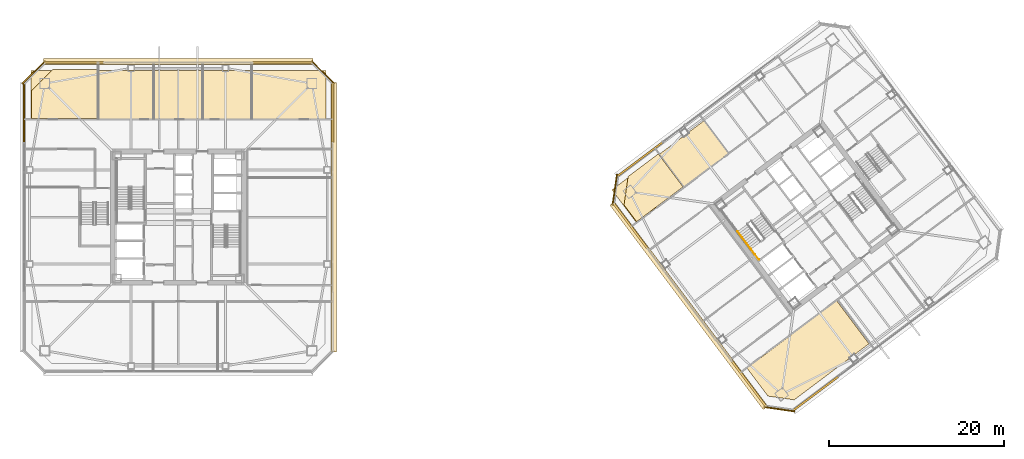
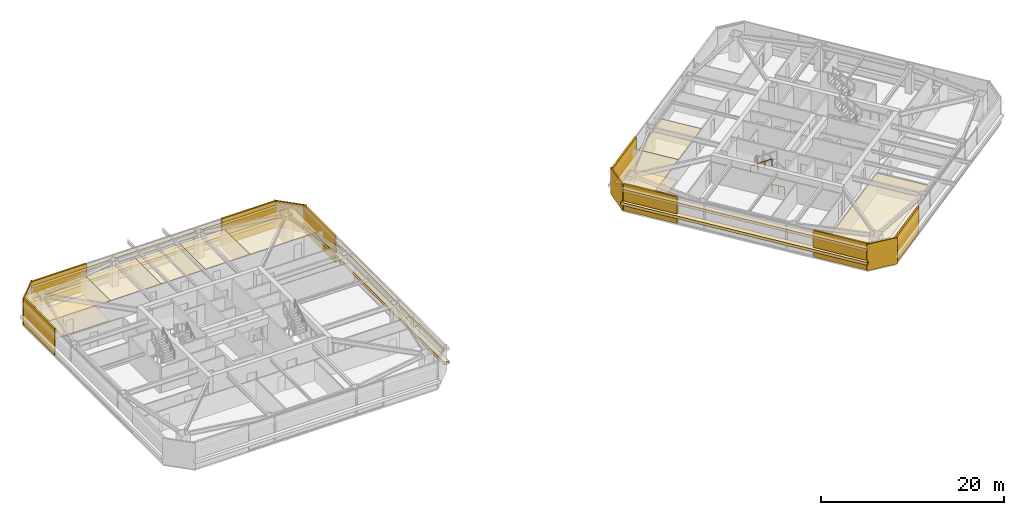
# One storey, part 39 of 42: 28 coverings, 2 railings.
"""IFC4 building model written with IfcOpenShell, lengths in metres."""

from ifc_helpers import new_model, si_unit, direction, frame, origin, origin_2d, place, context, subcontext, project, spatial, polyline, rectangle, outline, extrude, material, layer, layer_set, type_object, element, save


model = new_model("IFC4")

# Units and contexts
model_context = context("Model", 3, precision=1e-05, world=origin(), true_north=direction((0.0, 1.0)))
body_context = subcontext(model_context, "Body", "Model", "MODEL_VIEW")
ifc_project = project(units=[si_unit("LENGTHUNIT", "METRE"), si_unit("AREAUNIT", "SQUARE_METRE"), si_unit("VOLUMEUNIT", "CUBIC_METRE"), si_unit("PLANEANGLEUNIT", "RADIAN"), si_unit("MASSUNIT", "GRAM", prefix="KILO")], contexts=[model_context])

# Site, building, storey
site_placement = place(None, origin())
site = spatial("IfcSite", under=ifc_project, at=site_placement, CompositionType="ELEMENT")
building_placement = place(site_placement, origin())
building = spatial("IfcBuilding", under=site, at=building_placement, Name="Tashvorn Skyway Center", CompositionType="ELEMENT")
storey_placement = place(building_placement, frame((0.0, 0.0, 164.10009765625)))
storey = spatial("IfcBuildingStorey", under=building, at=storey_placement, Name="L44", CompositionType="ELEMENT", Elevation=164.10009765625)

# Coverings
ifc_material_1 = material(Name="Precast concrete C40/50", Category="concrete")
ifc_layer_1 = layer(ifc_material_1, 0.199951171875)
ifc_layer_set_1 = layer_set([ifc_layer_1], Name="Precast concrete C40/50")
covering_type_1 = type_object("IfcCoveringType", Name="COV-BRACE-CLAD", PredefinedType="CLADDING", material=ifc_layer_set_1)
for number, where, z_axis, x_axis, name in (
    (1, (24.320068359375, 43.962158203125, 0.0), (0.0, 0.0, 1.0), (0.0, 1.0, 0.0), "Tower 1 L44 West Unitised Curtain Wall Mega-Brace Cladding Band 2"),
    (2, (30.037841796875, 49.679931640625, 0.0), (0.0, 0.0, 1.0), (1.0, 0.0, 0.0), "Tower 1 L44 North Unitised Curtain Wall Mega-Brace Cladding Band 1"),
    (3, (53.962158203125, 49.679931640625, 0.0), (0.0, 0.0, 1.0), (1.0, 0.0, 0.0), "Tower 1 L44 North Unitised Curtain Wall Mega-Brace Cladding Band 2"),
    (4, (59.679931640625, 43.962158203125, 0.0), (0.0, 0.0, 1.0), (0.0, -1.0, 0.0), "Tower 1 L44 East Unitised Curtain Wall Mega-Brace Cladding Band 1"),
):
    element("IfcCovering", number, at=place(storey_placement, frame(where, z_axis=z_axis, x_axis=x_axis)), inside=storey, type_object=covering_type_1, Name=name, PredefinedType="CLADDING", context=body_context, shape_type="SweptSolid", body=[
        extrude(rectangle(XDim=6.835693359375, YDim=0.199951171875, at=origin_2d()), origin(), (0.0, 0.0, 1.0), 3.550048828125),
    ])
for number, where, z_axis, x_axis, name in (
    (5, (114.99609375, 11.77197265625, 0.0), (0.0, 0.0, 1.0), (-0.799999996291, -0.600000004945, 0.0), "Tower 2 L44 South Unitised Curtain Wall Mega-Brace Cladding Band 2"),
    (6, (107.3798828125, 12.860107421875, 0.0), (0.0, 0.0, 1.0), (-0.600000004945, 0.799999996291, 0.0), "Tower 2 L44 West Unitised Curtain Wall Mega-Brace Cladding Band 1"),
    (7, (93.77197265625, 31.00390625, 0.0), (0.0, 0.0, 1.0), (-0.600000004945, 0.799999996291, 0.0), "Tower 2 L44 West Unitised Curtain Wall Mega-Brace Cladding Band 2"),
    (8, (94.860107421875, 38.6201171875, 0.0), (0.0, 0.0, 1.0), (0.799999996291, 0.600000004945, 0.0), "Tower 2 L44 North Unitised Curtain Wall Mega-Brace Cladding Band 1"),
):
    element("IfcCovering", number, at=place(storey_placement, frame(where, z_axis=z_axis, x_axis=x_axis)), inside=storey, type_object=covering_type_1, Name=name, PredefinedType="CLADDING", context=body_context, shape_type="SweptSolid", body=[
        extrude(rectangle(XDim=6.47998046875, YDim=0.199951171875, at=origin_2d()), origin(), (0.0, 0.0, 1.0), 3.550048828125),
    ])
ifc_material_2 = material(Name="Mineral-fibre acoustic ceiling tile on suspended grid")
ifc_layer_2 = layer(ifc_material_2, 0.02001953125)
ifc_layer_set_2 = layer_set([ifc_layer_2], Name="Mineral-fibre acoustic ceiling tile on suspended grid")
covering_type_2 = type_object("IfcCoveringType", Name="COV-CEIL-20", PredefinedType="CEILING", material=ifc_layer_set_2)
covering_1_placement = place(storey_placement, frame((0.0, 0.0, 2.702880859375)))
element("IfcCovering", 9, at=covering_1_placement, inside=storey, type_object=covering_type_2, Name="Tower 1 L44 Research Library Acoustic Ceiling", PredefinedType="CEILING", context=body_context, shape_type="SweptSolid", body=[
    extrude(outline(polyline([(25.10009765625, 43.199951171875), (32.800048828125, 43.199951171875), (32.800048828125, 48.800048828125), (25.10009765625, 48.800048828125), (25.10009765625, 43.199951171875)])), origin(), (0.0, 0.0, 1.0), 0.02001953125),
])
covering_2_placement = place(storey_placement, frame((0.0, 0.0, 2.702880859375)))
element("IfcCovering", 10, at=covering_2_placement, inside=storey, type_object=covering_type_2, Name="Tower 1 L44 Research Library Acoustic Ceiling", PredefinedType="CEILING", context=body_context, shape_type="SweptSolid", body=[
    extrude(outline(polyline([(32.800048828125, 43.199951171875), (39.199951171875, 43.199951171875), (39.199951171875, 48.800048828125), (32.800048828125, 48.800048828125), (32.800048828125, 43.199951171875)])), origin(), (0.0, 0.0, 1.0), 0.02001953125),
])
covering_3_placement = place(storey_placement, frame((0.0, 0.0, 2.702880859375)))
element("IfcCovering", 11, at=covering_3_placement, inside=storey, type_object=covering_type_2, Name="Tower 1 L44 Staff Fitness Club Acoustic Ceiling", PredefinedType="CEILING", context=body_context, shape_type="SweptSolid", body=[
    extrude(outline(polyline([(39.199951171875, 43.199951171875), (44.800048828125, 43.199951171875), (44.800048828125, 48.800048828125), (39.199951171875, 48.800048828125), (39.199951171875, 43.199951171875)])), origin(), (0.0, 0.0, 1.0), 0.02001953125),
])
covering_4_placement = place(storey_placement, frame((0.0, 0.0, 2.702880859375)))
element("IfcCovering", 12, at=covering_4_placement, inside=storey, type_object=covering_type_2, Name="Tower 1 L44 Research Library Acoustic Ceiling", PredefinedType="CEILING", context=body_context, shape_type="SweptSolid", body=[
    extrude(outline(polyline([(44.800048828125, 43.199951171875), (50.39990234375, 43.199951171875), (50.39990234375, 48.800048828125), (44.800048828125, 48.800048828125), (44.800048828125, 43.199951171875)])), origin(), (0.0, 0.0, 1.0), 0.02001953125),
])
covering_5_placement = place(storey_placement, frame((0.0, 0.0, 2.702880859375)))
element("IfcCovering", 13, at=covering_5_placement, inside=storey, type_object=covering_type_2, Name="Tower 1 L44 Research Library Acoustic Ceiling", PredefinedType="CEILING", context=body_context, shape_type="SweptSolid", body=[
    extrude(outline(polyline([(50.39990234375, 43.199951171875), (58.89990234375, 43.199951171875), (58.89990234375, 48.800048828125), (50.39990234375, 48.800048828125), (50.39990234375, 43.199951171875)])), origin(), (0.0, 0.0, 1.0), 0.02001953125),
])
covering_6_placement = place(storey_placement, frame((0.0, 0.0, 2.702880859375)))
element("IfcCovering", 14, at=covering_6_placement, inside=storey, type_object=covering_type_2, Name="Tower 2 L44 Research Library Acoustic Ceiling", PredefinedType="CEILING", context=body_context, shape_type="SweptSolid", body=[
    extrude(outline(polyline([(94.47998046875, 31.360107421875), (99.919921875, 35.43994140625), (97.10009765625, 39.199951171875), (91.659912109375, 35.1201171875), (94.47998046875, 31.360107421875)])), origin(), (0.0, 0.0, 1.0), 0.02001953125),
])
covering_7_placement = place(storey_placement, frame((0.0, 0.0, 2.702880859375)))
element("IfcCovering", 15, at=covering_7_placement, inside=storey, type_object=covering_type_2, Name="Tower 2 L44 Research Library Acoustic Ceiling", PredefinedType="CEILING", context=body_context, shape_type="SweptSolid", body=[
    extrude(outline(polyline([(99.919921875, 35.43994140625), (105.0400390625, 39.280029296875), (102.219970703125, 43.0400390625), (97.10009765625, 39.199951171875), (99.919921875, 35.43994140625)])), origin(), (0.0, 0.0, 1.0), 0.02001953125),
])
covering_8_placement = place(storey_placement, frame((0.0, 0.0, 2.702880859375)))
element("IfcCovering", 16, at=covering_8_placement, inside=storey, type_object=covering_type_2, Name="Tower 2 L44 Research Library Acoustic Ceiling", PredefinedType="CEILING", context=body_context, shape_type="SweptSolid", body=[
    extrude(outline(polyline([(107.1220703125, 14.7041015625), (117.409912109375, 22.419921875), (121.112060546875, 17.48388671875), (112.552001953125, 11.06396484375), (109.528076171875, 11.49609375), (107.1220703125, 14.7041015625)])), origin(), (0.0, 0.0, 1.0), 0.02001953125),
])
ifc_material_3 = material(Name="Polished Mojave desert-aggregate terrazzo and cover plate")
ifc_layer_3 = layer(ifc_material_3, 0.0400390625)
ifc_layer_set_3 = layer_set([ifc_layer_3], Name="Polished Mojave desert-aggregate terrazzo and cover plate")
covering_type_3 = type_object("IfcCoveringType", Name="COV-FLR-40", PredefinedType="FLOORING", material=ifc_layer_set_3)
covering_9_placement = place(storey_placement, origin())
element("IfcCovering", 17, at=covering_9_placement, inside=storey, type_object=covering_type_3, Name="Tower 1 L44 Research Library Finish Flooring", PredefinedType="FLOORING", context=body_context, shape_type="SweptSolid", body=[
    extrude(outline(polyline([(32.719970703125, 43.280029296875), (25.179931640625, 43.280029296875), (25.179931640625, 46.47998046875), (27.60009765625, 48.89990234375), (32.719970703125, 48.89990234375), (32.719970703125, 43.280029296875)])), origin(), (0.0, 0.0, 1.0), 0.039794921875),
])
covering_10_placement = place(storey_placement, origin())
element("IfcCovering", 18, at=covering_10_placement, inside=storey, type_object=covering_type_3, Name="Tower 2 L44 Research Library Finish Flooring", PredefinedType="FLOORING", context=body_context, shape_type="SweptSolid", body=[
    extrude(outline(polyline([(99.80810546875, 35.4560546875), (94.49609375, 31.471923828125), (93.055908203125, 33.39208984375), (93.52001953125, 36.639892578125), (96.97607421875, 39.23193359375), (99.80810546875, 35.4560546875)])), origin(), (0.0, 0.0, 1.0), 0.039794921875),
])
ifc_material_4 = material(Name="Perforated ceramic-coated bronze aluminium solar screen", Category="aluminium")
ifc_layer_4 = layer(ifc_material_4, 0.85009765625)
ifc_layer_set_4 = layer_set([ifc_layer_4], Name="Perforated ceramic-coated bronze aluminium solar screen")
covering_type_4 = type_object("IfcCoveringType", Name="COV-SOLAR-BAND", PredefinedType="CLADDING", material=ifc_layer_set_4)
for number, where, z_axis, x_axis, name in (
    (19, (42.0, 49.820068359375, 0.919921875), (0.0, 0.0, 1.0), (1.0, 0.0, 0.0), "L44 Perforated Ceramic-Metal Solar Screen Louvre Band North 1"),
    (20, (42.0, 49.820068359375, 2.7197265625), (0.0, 0.0, 1.0), (1.0, 0.0, 0.0), "L44 Perforated Ceramic-Metal Solar Screen Louvre Band North 2"),
    (21, (59.820068359375, 32.0, 0.919921875), (0.0, 0.0, 1.0), (0.0, -1.0, 0.0), "L44 Perforated Ceramic-Metal Solar Screen Louvre Band East 1"),
    (22, (59.820068359375, 32.0, 2.7197265625), (0.0, 0.0, 1.0), (0.0, -1.0, 0.0), "L44 Perforated Ceramic-Metal Solar Screen Louvre Band East 2"),
):
    element("IfcCovering", number, at=place(storey_placement, frame(where, z_axis=z_axis, x_axis=x_axis)), inside=storey, type_object=covering_type_4, Name=name, PredefinedType="CLADDING", context=body_context, shape_type="SweptSolid", body=[
        extrude(rectangle(XDim=30.8798828125, YDim=0.639892578125, at=origin_2d()), origin(), (0.0, 0.0, 1.0), 0.360107421875),
    ])
for number, where, z_axis, x_axis, name in (
    (23, (100.464111328125, 21.847900390625, 0.919921875), (0.0, 0.0, 1.0), (-0.600000004945, 0.799999996291, 0.0), "L44 Perforated Ceramic-Metal Solar Screen Louvre Band West 1"),
    (24, (100.464111328125, 21.847900390625, 2.7197265625), (0.0, 0.0, 1.0), (-0.600000004945, 0.799999996291, 0.0), "L44 Perforated Ceramic-Metal Solar Screen Louvre Band West 2"),
):
    element("IfcCovering", number, at=place(storey_placement, frame(where, z_axis=z_axis, x_axis=x_axis)), inside=storey, type_object=covering_type_4, Name=name, PredefinedType="CLADDING", context=body_context, shape_type="SweptSolid", body=[
        extrude(rectangle(XDim=29.280029296875, YDim=0.639892578125, at=origin_2d()), origin(), (0.0, 0.0, 1.0), 0.360107421875),
    ])
ifc_layer_5 = layer(ifc_material_1, 0.35009765625)
ifc_layer_set_5 = layer_set([ifc_layer_5], Name="Precast concrete C40/50")
covering_type_5 = type_object("IfcCoveringType", Name="COV-STONE-TRIM", PredefinedType="CLADDING", material=ifc_layer_set_5)
for number, where, z_axis, x_axis, name in (
    (25, (25.429931640625, 48.570068359375, 0.02001953125), (0.0, 0.0, 1.0), (-0.707106781187, -0.707106781187, 0.0), "Tower 1 L44 NW Mojave Limestone Corner Quoin"),
    (26, (58.570068359375, 48.570068359375, 0.02001953125), (0.0, 0.0, 1.0), (0.707106781187, -0.707106781187, 0.0), "Tower 1 L44 NE Mojave Limestone Corner Quoin"),
):
    element("IfcCovering", number, at=place(storey_placement, frame(where, z_axis=z_axis, x_axis=x_axis)), inside=storey, type_object=covering_type_5, Name=name, PredefinedType="CLADDING", context=body_context, shape_type="SweptSolid", body=[
        extrude(rectangle(XDim=3.695556640625, YDim=0.139892578125, at=origin_2d()), origin(), (0.0, 0.0, 1.0), 3.510009765625),
    ])
for number, where, z_axis, x_axis, name in (
    (27, (110.85595703125, 9.991943359375, 0.02001953125), (0.0, 0.0, 1.0), (-0.989949494535, 0.141421350118, 0.0), "Tower 2 L44 SW Mojave Limestone Corner Quoin"),
    (28, (91.991943359375, 35.14404296875, 0.02001953125), (0.0, 0.0, 1.0), (-0.141421350118, -0.989949494535, 0.0), "Tower 2 L44 NW Mojave Limestone Corner Quoin"),
):
    element("IfcCovering", number, at=place(storey_placement, frame(where, z_axis=z_axis, x_axis=x_axis)), inside=storey, type_object=covering_type_5, Name=name, PredefinedType="CLADDING", context=body_context, shape_type="SweptSolid", body=[
        extrude(rectangle(XDim=3.55419921875, YDim=0.139892578125, at=origin_2d()), origin(), (0.0, 0.0, 1.0), 3.510009765625),
    ])

# Railings
ifc_material_5 = material(Name="Brushed stainless steel 316", Category="steel")
railing_type_1 = type_object("IfcRailingType", Name="RAIL-HAND-920", PredefinedType="HANDRAIL", material=ifc_material_5)
railing_1_placement = place(storey_placement, frame((106.072021484375, 30.35400390625, 1.952392578125)))
element("IfcRailing", 29, at=railing_1_placement, inside=storey, type_object=railing_type_1, Name="L44 ST-T2-1 stair handrail 2", PredefinedType="HANDRAIL", context=body_context, shape_type="SweptSolid", body=[
    extrude(rectangle(XDim=0.048095703125, YDim=0.048095703125, at=origin_2d()), frame((0.0, 0.0, 0.8759765625), z_axis=(0.506740800098, -0.675708949977, 0.535379469569), x_axis=(0.800023250257, 0.599968998406, 0.0)), (0.0, 0.0, 1.0), 2.983642578125),
    extrude(rectangle(XDim=0.0419921875, YDim=0.0419921875, at=origin_2d()), origin(), (0.0, 0.0, 1.0), 0.851806640625),
    extrude(rectangle(XDim=0.0419921875, YDim=0.0419921875, at=origin_2d()), frame((0.50390625, -0.672119140625, 0.532470703125)), (0.0, 0.0, 1.0), 0.851806640625),
    extrude(rectangle(XDim=0.0419921875, YDim=0.0419921875, at=origin_2d()), frame((1.008056640625, -1.343994140625, 1.06494140625)), (0.0, 0.0, 1.0), 0.851806640625),
    extrude(rectangle(XDim=0.0419921875, YDim=0.0419921875, at=origin_2d()), frame((1.511962890625, -2.01611328125, 1.597412109375)), (0.0, 0.0, 1.0), 0.851806640625),
])
ifc_material_6 = material(Name="Painted galvanized steel S355", Category="steel")
railing_type_2 = type_object("IfcRailingType", Name="RAIL-STGUARD-1100", PredefinedType="GUARDRAIL", material=ifc_material_6)
railing_2_placement = place(storey_placement, frame((108.49609375, 27.1220703125, 0.0)))
element("IfcRailing", 30, at=railing_2_placement, inside=storey, type_object=railing_type_2, Name="L44 ST-T2-1 stair guard 6", PredefinedType="GUARDRAIL", context=body_context, shape_type="SweptSolid", body=[
    extrude(rectangle(XDim=0.048095703125, YDim=0.048095703125, at=origin_2d()), frame((0.0, 0.0, 1.076171875), z_axis=(-0.600102796382, 0.799922892393, 0.0), x_axis=(-0.799922892393, -0.600102796382, 0.0)), (0.0, 0.0, 1.0), 1.52001953125),
    extrude(rectangle(XDim=0.0419921875, YDim=0.0419921875, at=origin_2d()), origin(), (0.0, 0.0, 1.0), 1.052001953125),
    extrude(rectangle(XDim=0.0419921875, YDim=0.0419921875, at=origin_2d()), frame((-0.4560546875, 0.60791015625, 0.0)), (0.0, 0.0, 1.0), 1.052001953125),
    extrude(rectangle(XDim=0.0419921875, YDim=0.0419921875, at=origin_2d()), frame((-0.912109375, 1.2158203125, 0.0)), (0.0, 0.0, 1.0), 1.052001953125),
])

save(model, "model.ifc")
